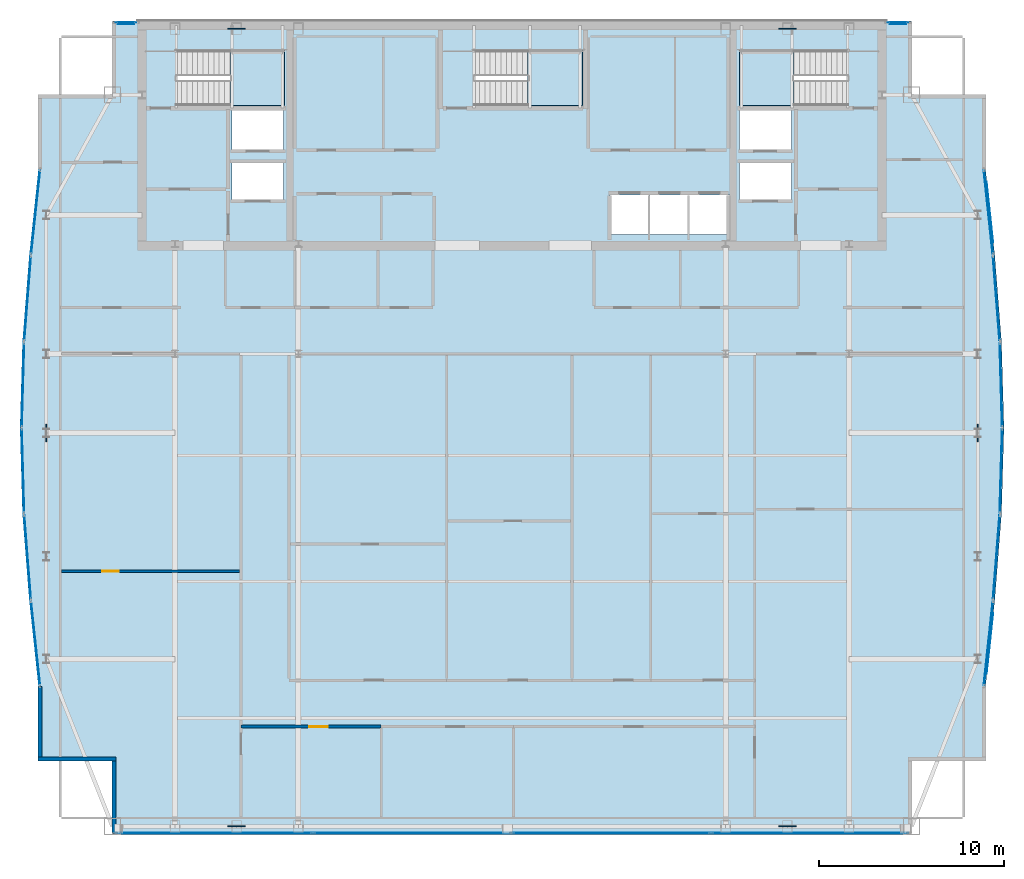
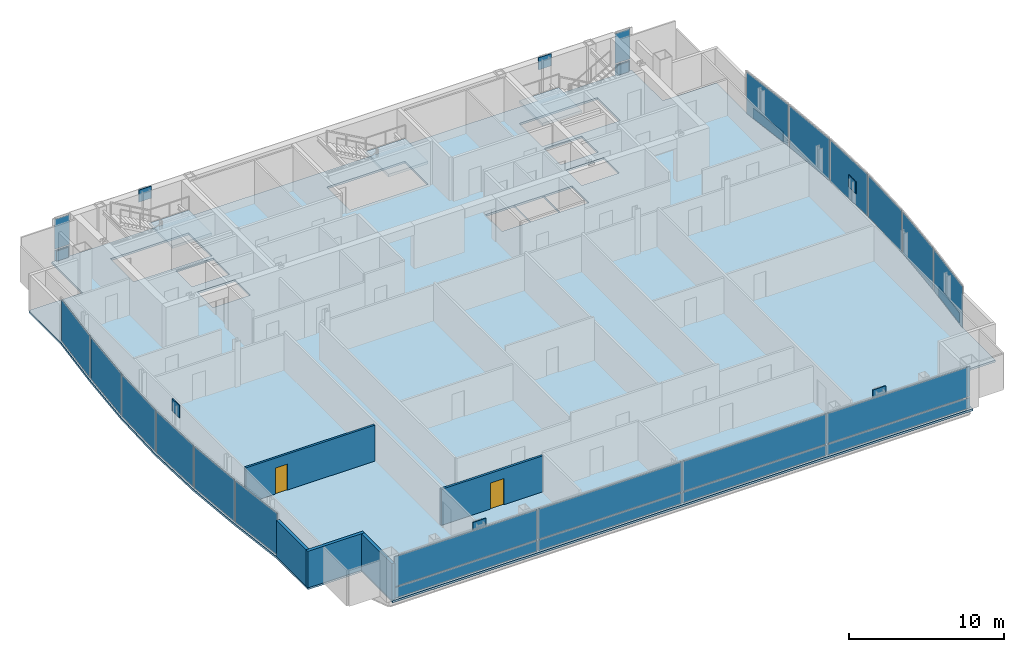
# One storey, part 21 of 27: 34 plates, 5 walls, 4 slabs, 2 doors, 2 openings, 18 elements without a shape of their own.
"""IFC4 building model written with IfcOpenShell, lengths in metres."""

from ifc_helpers import new_model, si_unit, direction, frame, frame_2d, origin, origin_2d, place, context, subcontext, project, spatial, polyline, rectangle, outline, extrude, material, layer, layer_set, type_object, element, fill, aggregate, save


model = new_model("IFC4")

# Units and contexts
model_context = context("Model", 3, precision=1e-05, world=origin(), true_north=direction((0.0, 1.0)))
body_context = subcontext(model_context, "Body", "Model", "MODEL_VIEW")
ifc_project = project(units=[si_unit("LENGTHUNIT", "METRE"), si_unit("AREAUNIT", "SQUARE_METRE"), si_unit("VOLUMEUNIT", "CUBIC_METRE"), si_unit("PLANEANGLEUNIT", "RADIAN"), si_unit("MASSUNIT", "GRAM", prefix="KILO")], contexts=[model_context])

# Site, building, storey
site_placement = place(None, origin())
site = spatial("IfcSite", under=ifc_project, at=site_placement, CompositionType="ELEMENT")
building_placement = place(site_placement, origin())
building = spatial("IfcBuilding", under=site, at=building_placement, Name="Khoronbel Lancet Exchange", CompositionType="ELEMENT")
storey_placement = place(building_placement, frame((0.0, 0.0, 343.39990234375)))
storey = spatial("IfcBuildingStorey", under=building, at=storey_placement, Name="L89", CompositionType="ELEMENT", Elevation=343.39990234375)

# Curtain wall, plate
ifc_material_1 = material(Name="Low-E Solar Control Insulating Glass", Category="glass")
curtain_wall_type_1 = type_object("IfcCurtainWallType", Name="CW-4", PredefinedType="NOTDEFINED", material=ifc_material_1)
curtain_wall_1_placement = place(storey_placement, origin())
curtain_wall_1 = element("IfcCurtainWall", 1, at=curtain_wall_1_placement, inside=storey, type_object=curtain_wall_type_1, Name="Unitised curtain wall CW-L89-E05", PredefinedType="NOTDEFINED")
ifc_material_2 = material(Name="Bronze-Anodised Aluminium 6063-T6", Category="aluminium")
ifc_layer_1 = layer(ifc_material_2, 0.050048828125, Name="Bronze-Anodised Aluminium 6063-T6")
ifc_layer_set_1 = layer_set([ifc_layer_1], Name="Bronze-Anodised Aluminium 6063-T6")
plate_type_1 = type_object("IfcPlateType", Name="PLT-CSP1", PredefinedType="SHEET", material=ifc_layer_set_1)
plate_1_placement = place(storey_placement, frame((10.2568359375, 24.70654296875, 0.085205078125), z_axis=(0.0, 0.0, 1.0), x_axis=(-0.078184162452, 0.996938933306, 0.0)))
plate_1 = element("IfcPlate", 2, at=plate_1_placement, type_object=plate_type_1, Name="CW4 panel 1.1", PredefinedType="CURTAIN_PANEL", context=body_context, shape_type="SweptSolid", body=[
    extrude(rectangle(XDim=4.52734375, YDim=0.0380859375, at=origin_2d()), origin(), (0.0, 0.0, 1.0), 3.27001953125),
])
aggregate(curtain_wall_1, [plate_1])

curtain_wall_2_placement = place(storey_placement, origin())
curtain_wall_2 = element("IfcCurtainWall", 3, at=curtain_wall_2_placement, inside=storey, type_object=curtain_wall_type_1, Name="Unitised curtain wall CW-L89-E06", PredefinedType="NOTDEFINED")
plate_2_placement = place(storey_placement, frame((10.0068359375, 29.369140625, 0.085205078125), z_axis=(0.0, 0.0, 1.0), x_axis=(-0.028710354746, 0.9995877728, 0.0)))
plate_2 = element("IfcPlate", 4, at=plate_2_placement, type_object=plate_type_1, Name="CW4 panel 1.1", PredefinedType="CURTAIN_PANEL", context=body_context, shape_type="SweptSolid", body=[
    extrude(rectangle(XDim=4.513916015625, YDim=0.0380859375, at=origin_2d()), origin(), (0.0, 0.0, 1.0), 3.27001953125),
])
aggregate(curtain_wall_2, [plate_2])

curtain_wall_3_placement = place(storey_placement, origin())
curtain_wall_3 = element("IfcCurtainWall", 5, at=curtain_wall_3_placement, inside=storey, type_object=curtain_wall_type_1, Name="Unitised curtain wall CW-L89-E07", PredefinedType="NOTDEFINED")
plate_3_placement = place(storey_placement, frame((10.0068359375, 34.031005859375, 0.085205078125), z_axis=(0.0, 0.0, 1.0), x_axis=(0.028710354746, 0.9995877728, 0.0)))
plate_3 = element("IfcPlate", 6, at=plate_3_placement, type_object=plate_type_1, Name="CW4 panel 1.1", PredefinedType="CURTAIN_PANEL", context=body_context, shape_type="SweptSolid", body=[
    extrude(rectangle(XDim=4.513916015625, YDim=0.0380859375, at=origin_2d()), origin(), (0.0, 0.0, 1.0), 3.27001953125),
])
aggregate(curtain_wall_3, [plate_3])

curtain_wall_4_placement = place(storey_placement, origin())
curtain_wall_4 = element("IfcCurtainWall", 7, at=curtain_wall_4_placement, inside=storey, type_object=curtain_wall_type_1, Name="Unitised curtain wall CW-L89-E08", PredefinedType="NOTDEFINED")
plate_4_placement = place(storey_placement, frame((10.2568359375, 38.693359375, 0.085205078125), z_axis=(0.0, 0.0, 1.0), x_axis=(0.078184162452, 0.996938933306, 0.0)))
plate_4 = element("IfcPlate", 8, at=plate_4_placement, type_object=plate_type_1, Name="CW4 panel 1.1", PredefinedType="CURTAIN_PANEL", context=body_context, shape_type="SweptSolid", body=[
    extrude(rectangle(XDim=4.52734375, YDim=0.0380859375, at=origin_2d()), origin(), (0.0, 0.0, 1.0), 3.27001953125),
])
aggregate(curtain_wall_4, [plate_4])

curtain_wall_type_2 = type_object("IfcCurtainWallType", Name="CW-3", PredefinedType="NOTDEFINED", material=ifc_material_1)
curtain_wall_5_placement = place(storey_placement, origin())
curtain_wall_5 = element("IfcCurtainWall", 9, at=curtain_wall_5_placement, inside=storey, type_object=curtain_wall_type_2, Name="Unitised curtain wall CW-L89-NWFLK", PredefinedType="NOTDEFINED")
plate_5_placement = place(storey_placement, frame((15.580078125, 53.550048828125, 0.05029296875), z_axis=(0.0, 0.0, 1.0), x_axis=(-1.0, 0.0, 0.0)))
plate_5 = element("IfcPlate", 10, at=plate_5_placement, type_object=plate_type_1, Name="Insulated bronze spandrel cassette CW-L89-NWFLK", PredefinedType="SHEET", context=body_context, shape_type="SweptSolid", body=[
    extrude(rectangle(XDim=0.89599609375, YDim=0.050048828125, at=origin_2d()), origin(), (0.0, 0.0, 1.0), 0.800048828125),
])

curtain_wall_6_placement = place(storey_placement, origin())
curtain_wall_6 = element("IfcCurtainWall", 11, at=curtain_wall_6_placement, inside=storey, type_object=curtain_wall_type_2, Name="Unitised curtain wall CW-L89-NEFLK", PredefinedType="NOTDEFINED")
plate_6_placement = place(storey_placement, frame((57.320068359375, 53.550048828125, 0.05029296875), z_axis=(0.0, 0.0, 1.0), x_axis=(-1.0, 0.0, 0.0)))
plate_6 = element("IfcPlate", 12, at=plate_6_placement, type_object=plate_type_1, Name="Insulated bronze spandrel cassette CW-L89-NEFLK", PredefinedType="SHEET", context=body_context, shape_type="SweptSolid", body=[
    extrude(rectangle(XDim=0.89599609375, YDim=0.050048828125, at=origin_2d()), origin(), (0.0, 0.0, 1.0), 0.800048828125),
])

curtain_wall_7_placement = place(storey_placement, origin())
curtain_wall_7 = element("IfcCurtainWall", 13, at=curtain_wall_7_placement, inside=storey, type_object=curtain_wall_type_1, Name="Unitised curtain wall CW-L89-E17", PredefinedType="NOTDEFINED")
plate_7_placement = place(storey_placement, frame((62.27001953125, 43.366455078125, 0.05029296875), z_axis=(0.0, 0.0, 1.0), x_axis=(0.106537634098, -0.994308670645, 0.0)))
plate_7 = element("IfcPlate", 14, at=plate_7_placement, type_object=plate_type_1, Name="Insulated bronze spandrel cassette CW-L89-E17", PredefinedType="SHEET", context=body_context, shape_type="SweptSolid", body=[
    extrude(rectangle(XDim=3.287841796875, YDim=0.050048828125, at=origin_2d()), origin(), (0.0, 0.0, 1.0), 0.800048828125),
])

curtain_wall_8_placement = place(storey_placement, origin())
curtain_wall_8 = element("IfcCurtainWall", 15, at=curtain_wall_8_placement, inside=storey, type_object=curtain_wall_type_1, Name="Unitised curtain wall CW-L89-E18", PredefinedType="NOTDEFINED")
plate_8_placement = place(storey_placement, frame((62.643310546875, 38.693359375, 0.085205078125), z_axis=(0.0, 0.0, 1.0), x_axis=(0.078184162452, -0.996938933306, 0.0)))
plate_8 = element("IfcPlate", 16, at=plate_8_placement, type_object=plate_type_1, Name="CW4 panel 1.1", PredefinedType="CURTAIN_PANEL", context=body_context, shape_type="SweptSolid", body=[
    extrude(rectangle(XDim=4.52734375, YDim=0.0380859375, at=origin_2d()), origin(), (0.0, 0.0, 1.0), 3.27001953125),
])
aggregate(curtain_wall_8, [plate_8])

curtain_wall_9_placement = place(storey_placement, origin())
curtain_wall_9 = element("IfcCurtainWall", 17, at=curtain_wall_9_placement, inside=storey, type_object=curtain_wall_type_1, Name="Unitised curtain wall CW-L89-E19", PredefinedType="NOTDEFINED")
plate_9_placement = place(storey_placement, frame((62.89306640625, 34.031005859375, 0.085205078125), z_axis=(0.0, 0.0, 1.0), x_axis=(0.028710354746, -0.9995877728, 0.0)))
plate_9 = element("IfcPlate", 18, at=plate_9_placement, type_object=plate_type_1, Name="CW4 panel 1.1", PredefinedType="CURTAIN_PANEL", context=body_context, shape_type="SweptSolid", body=[
    extrude(rectangle(XDim=4.513916015625, YDim=0.0380859375, at=origin_2d()), origin(), (0.0, 0.0, 1.0), 3.27001953125),
])
aggregate(curtain_wall_9, [plate_9])

curtain_wall_10_placement = place(storey_placement, origin())
curtain_wall_10 = element("IfcCurtainWall", 19, at=curtain_wall_10_placement, inside=storey, type_object=curtain_wall_type_1, Name="Unitised curtain wall CW-L89-E20", PredefinedType="NOTDEFINED")
plate_10_placement = place(storey_placement, frame((62.89306640625, 29.369140625, 0.085205078125), z_axis=(0.0, 0.0, 1.0), x_axis=(-0.028710354746, -0.9995877728, 0.0)))
plate_10 = element("IfcPlate", 20, at=plate_10_placement, type_object=plate_type_1, Name="CW4 panel 1.1", PredefinedType="CURTAIN_PANEL", context=body_context, shape_type="SweptSolid", body=[
    extrude(rectangle(XDim=4.513916015625, YDim=0.0380859375, at=origin_2d()), origin(), (0.0, 0.0, 1.0), 3.27001953125),
])
aggregate(curtain_wall_10, [plate_10])

curtain_wall_11_placement = place(storey_placement, origin())
curtain_wall_11 = element("IfcCurtainWall", 21, at=curtain_wall_11_placement, inside=storey, type_object=curtain_wall_type_1, Name="Unitised curtain wall CW-L89-E21", PredefinedType="NOTDEFINED")
plate_11_placement = place(storey_placement, frame((62.643310546875, 24.70654296875, 0.085205078125), z_axis=(0.0, 0.0, 1.0), x_axis=(-0.078184162452, -0.996938933306, 0.0)))
plate_11 = element("IfcPlate", 22, at=plate_11_placement, type_object=plate_type_1, Name="CW4 panel 1.1", PredefinedType="CURTAIN_PANEL", context=body_context, shape_type="SweptSolid", body=[
    extrude(rectangle(XDim=4.52734375, YDim=0.0380859375, at=origin_2d()), origin(), (0.0, 0.0, 1.0), 3.27001953125),
])
aggregate(curtain_wall_11, [plate_11])

curtain_wall_12_placement = place(storey_placement, origin())
curtain_wall_12 = element("IfcCurtainWall", 23, at=curtain_wall_12_placement, inside=storey, type_object=curtain_wall_type_1, Name="Unitised curtain wall CW-L89-E22", PredefinedType="NOTDEFINED")
plate_12_placement = place(storey_placement, frame((62.27001953125, 20.033447265625, 0.05029296875), z_axis=(0.0, 0.0, 1.0), x_axis=(-0.106537634098, -0.994308670645, 0.0)))
plate_12 = element("IfcPlate", 24, at=plate_12_placement, type_object=plate_type_1, Name="Insulated bronze spandrel cassette CW-L89-E22", PredefinedType="SHEET", context=body_context, shape_type="SweptSolid", body=[
    extrude(rectangle(XDim=3.287841796875, YDim=0.050048828125, at=origin_2d()), origin(), (0.0, 0.0, 1.0), 0.800048828125),
])

# Plate
ifc_layer_2 = layer(ifc_material_1, 0.035888671875, Name="Low-E Solar Control Insulating Glass")
ifc_layer_set_2 = layer_set([ifc_layer_2], Name="Low-E Solar Control Insulating Glass")
plate_type_2 = type_object("IfcPlateType", Name="PLT-CWP1", PredefinedType="CURTAIN_PANEL", material=ifc_layer_set_2)
plate_13_placement = place(storey_placement, frame((15.580078125, 53.610107421875, 0.0849609375), z_axis=(0.0, 0.0, 1.0), x_axis=(-1.0, 0.0, 0.0)))
plate_13 = element("IfcPlate", 25, at=plate_13_placement, type_object=plate_type_2, Name="CW3 panel 1.1", PredefinedType="CURTAIN_PANEL", context=body_context, shape_type="SweptSolid", body=[
    extrude(rectangle(XDim=1.110107421875, YDim=0.0380859375, at=origin_2d()), origin(), (0.0, 0.0, 1.0), 0.822509765625),
])

plate_14_placement = place(storey_placement, frame((15.580078125, 53.610107421875, 0.99267578125), z_axis=(0.0, 0.0, 1.0), x_axis=(-1.0, 0.0, 0.0)))
plate_14 = element("IfcPlate", 26, at=plate_14_placement, type_object=plate_type_2, Name="CW3 panel 1.2", PredefinedType="CURTAIN_PANEL", context=body_context, shape_type="SweptSolid", body=[
    extrude(rectangle(XDim=1.110107421875, YDim=0.0380859375, at=origin_2d()), origin(), (0.0, 0.0, 1.0), 2.362548828125),
])

aggregate(curtain_wall_5, [plate_13, plate_14, plate_5])

plate_15_placement = place(storey_placement, frame((57.320068359375, 53.610107421875, 0.0849609375), z_axis=(0.0, 0.0, 1.0), x_axis=(-1.0, 0.0, 0.0)))
plate_15 = element("IfcPlate", 27, at=plate_15_placement, type_object=plate_type_2, Name="CW3 panel 1.1", PredefinedType="CURTAIN_PANEL", context=body_context, shape_type="SweptSolid", body=[
    extrude(rectangle(XDim=1.110107421875, YDim=0.0380859375, at=origin_2d()), origin(), (0.0, 0.0, 1.0), 0.822509765625),
])

plate_16_placement = place(storey_placement, frame((57.320068359375, 53.610107421875, 0.99267578125), z_axis=(0.0, 0.0, 1.0), x_axis=(-1.0, 0.0, 0.0)))
plate_16 = element("IfcPlate", 28, at=plate_16_placement, type_object=plate_type_2, Name="CW3 panel 1.2", PredefinedType="CURTAIN_PANEL", context=body_context, shape_type="SweptSolid", body=[
    extrude(rectangle(XDim=1.110107421875, YDim=0.0380859375, at=origin_2d()), origin(), (0.0, 0.0, 1.0), 2.362548828125),
])

aggregate(curtain_wall_6, [plate_15, plate_16, plate_6])

# Curtain wall, plates
curtain_wall_13_placement = place(storey_placement, origin())
curtain_wall_13 = element("IfcCurtainWall", 29, at=curtain_wall_13_placement, inside=storey, type_object=curtain_wall_type_2, Name="Unitised curtain wall CW-L89-E26", PredefinedType="NOTDEFINED")
plate_17_placement = place(storey_placement, frame((52.561279296875, 9.7900390625, 0.0849609375), z_axis=(0.0, 0.0, 1.0), x_axis=(-1.0, 0.0, 0.0)))
plate_17 = element("IfcPlate", 30, at=plate_17_placement, type_object=plate_type_2, Name="CW3 panel 1.1", PredefinedType="CURTAIN_PANEL", context=body_context, shape_type="SweptSolid", body=[
    extrude(rectangle(XDim=10.62744140625, YDim=0.0380859375, at=origin_2d()), origin(), (0.0, 0.0, 1.0), 0.822509765625),
])
plate_18_placement = place(storey_placement, frame((52.561279296875, 9.7900390625, 0.99267578125), z_axis=(0.0, 0.0, 1.0), x_axis=(-1.0, 0.0, 0.0)))
plate_18 = element("IfcPlate", 31, at=plate_18_placement, type_object=plate_type_2, Name="CW3 panel 1.2", PredefinedType="CURTAIN_PANEL", context=body_context, shape_type="SweptSolid", body=[
    extrude(rectangle(XDim=10.62744140625, YDim=0.0380859375, at=origin_2d()), origin(), (0.0, 0.0, 1.0), 2.362548828125),
])
plate_19_placement = place(storey_placement, frame((41.827392578125, 9.7900390625, 0.0849609375), z_axis=(0.0, 0.0, 1.0), x_axis=(-1.0, 0.0, 0.0)))
plate_19 = element("IfcPlate", 32, at=plate_19_placement, type_object=plate_type_2, Name="CW3 panel 2.1", PredefinedType="CURTAIN_PANEL", context=body_context, shape_type="SweptSolid", body=[
    extrude(rectangle(XDim=10.669921875, YDim=0.0380859375, at=origin_2d()), origin(), (0.0, 0.0, 1.0), 0.822509765625),
])
plate_20_placement = place(storey_placement, frame((41.827392578125, 9.7900390625, 0.99267578125), z_axis=(0.0, 0.0, 1.0), x_axis=(-1.0, 0.0, 0.0)))
plate_20 = element("IfcPlate", 33, at=plate_20_placement, type_object=plate_type_2, Name="CW3 panel 2.2", PredefinedType="CURTAIN_PANEL", context=body_context, shape_type="SweptSolid", body=[
    extrude(rectangle(XDim=10.669921875, YDim=0.0380859375, at=origin_2d()), origin(), (0.0, 0.0, 1.0), 2.362548828125),
])
plate_21_placement = place(storey_placement, frame((31.072509765625, 9.7900390625, 0.0849609375), z_axis=(0.0, 0.0, 1.0), x_axis=(-1.0, 0.0, 0.0)))
plate_21 = element("IfcPlate", 34, at=plate_21_placement, type_object=plate_type_2, Name="CW3 panel 3.1", PredefinedType="CURTAIN_PANEL", context=body_context, shape_type="SweptSolid", body=[
    extrude(rectangle(XDim=10.669921875, YDim=0.0380859375, at=origin_2d()), origin(), (0.0, 0.0, 1.0), 0.822509765625),
])
plate_22_placement = place(storey_placement, frame((31.072509765625, 9.7900390625, 0.99267578125), z_axis=(0.0, 0.0, 1.0), x_axis=(-1.0, 0.0, 0.0)))
plate_22 = element("IfcPlate", 35, at=plate_22_placement, type_object=plate_type_2, Name="CW3 panel 3.2", PredefinedType="CURTAIN_PANEL", context=body_context, shape_type="SweptSolid", body=[
    extrude(rectangle(XDim=10.669921875, YDim=0.0380859375, at=origin_2d()), origin(), (0.0, 0.0, 1.0), 2.362548828125),
])
plate_23_placement = place(storey_placement, frame((20.3388671875, 9.7900390625, 0.0849609375), z_axis=(0.0, 0.0, 1.0), x_axis=(-1.0, 0.0, 0.0)))
plate_23 = element("IfcPlate", 36, at=plate_23_placement, type_object=plate_type_2, Name="CW3 panel 4.1", PredefinedType="CURTAIN_PANEL", context=body_context, shape_type="SweptSolid", body=[
    extrude(rectangle(XDim=10.62744140625, YDim=0.0380859375, at=origin_2d()), origin(), (0.0, 0.0, 1.0), 0.822509765625),
])
plate_24_placement = place(storey_placement, frame((20.3388671875, 9.7900390625, 0.99267578125), z_axis=(0.0, 0.0, 1.0), x_axis=(-1.0, 0.0, 0.0)))
plate_24 = element("IfcPlate", 37, at=plate_24_placement, type_object=plate_type_2, Name="CW3 panel 4.2", PredefinedType="CURTAIN_PANEL", context=body_context, shape_type="SweptSolid", body=[
    extrude(rectangle(XDim=10.62744140625, YDim=0.0380859375, at=origin_2d()), origin(), (0.0, 0.0, 1.0), 2.362548828125),
])
aggregate(curtain_wall_13, [plate_17, plate_18, plate_19, plate_20, plate_21, plate_22, plate_23, plate_24])

# Curtain wall, plate
curtain_wall_14_placement = place(storey_placement, origin())
curtain_wall_14 = element("IfcCurtainWall", 38, at=curtain_wall_14_placement, inside=storey, type_object=curtain_wall_type_1, Name="Unitised curtain wall CW-L89-E04", PredefinedType="NOTDEFINED")
ifc_material_3 = material(Name="Ceramic-Fritted Laminated Insulating Glass", Category="glass")
ifc_layer_3 = layer(ifc_material_3, 0.0419921875, Name="Ceramic-Fritted Laminated Insulating Glass")
ifc_layer_set_3 = layer_set([ifc_layer_3], Name="Ceramic-Fritted Laminated Insulating Glass")
plate_type_3 = type_object("IfcPlateType", Name="PLT-CWP2", PredefinedType="CURTAIN_PANEL", material=ifc_layer_set_3)
plate_25_placement = place(storey_placement, frame((10.689697265625, 20.039794921875, 0.085205078125), z_axis=(0.0, 0.0, 1.0), x_axis=(-0.106537634098, 0.994308670645, 0.0)))
plate_25 = element("IfcPlate", 39, at=plate_25_placement, type_object=plate_type_3, Name="CW4 panel 1.1", PredefinedType="CURTAIN_PANEL", context=body_context, shape_type="SweptSolid", body=[
    extrude(rectangle(XDim=4.546875, YDim=0.0380859375, at=origin_2d()), origin(), (0.0, 0.0, 1.0), 3.27001953125),
])
aggregate(curtain_wall_14, [plate_25])

curtain_wall_15_placement = place(storey_placement, origin())
curtain_wall_15 = element("IfcCurtainWall", 40, at=curtain_wall_15_placement, inside=storey, type_object=curtain_wall_type_1, Name="Unitised curtain wall CW-L89-E09", PredefinedType="NOTDEFINED")
plate_26_placement = place(storey_placement, frame((10.689697265625, 43.360107421875, 0.085205078125), z_axis=(0.0, 0.0, 1.0), x_axis=(0.106537634098, 0.994308670645, 0.0)))
plate_26 = element("IfcPlate", 41, at=plate_26_placement, type_object=plate_type_3, Name="CW4 panel 1.1", PredefinedType="CURTAIN_PANEL", context=body_context, shape_type="SweptSolid", body=[
    extrude(rectangle(XDim=4.546875, YDim=0.0380859375, at=origin_2d()), origin(), (0.0, 0.0, 1.0), 3.27001953125),
])
aggregate(curtain_wall_15, [plate_26])

# Plate
plate_27_placement = place(storey_placement, frame((62.210205078125, 43.360107421875, 0.085205078125), z_axis=(0.0, 0.0, 1.0), x_axis=(0.106537634098, -0.994308670645, 0.0)))
plate_27 = element("IfcPlate", 42, at=plate_27_placement, type_object=plate_type_3, Name="CW4 panel 1.1", PredefinedType="CURTAIN_PANEL", context=body_context, shape_type="SweptSolid", body=[
    extrude(rectangle(XDim=4.546875, YDim=0.0380859375, at=origin_2d()), origin(), (0.0, 0.0, 1.0), 3.27001953125),
])

aggregate(curtain_wall_7, [plate_27, plate_7])

plate_28_placement = place(storey_placement, frame((62.210205078125, 20.039794921875, 0.085205078125), z_axis=(0.0, 0.0, 1.0), x_axis=(-0.106537634098, -0.994308670645, 0.0)))
plate_28 = element("IfcPlate", 43, at=plate_28_placement, type_object=plate_type_3, Name="CW4 panel 1.1", PredefinedType="CURTAIN_PANEL", context=body_context, shape_type="SweptSolid", body=[
    extrude(rectangle(XDim=4.546875, YDim=0.0380859375, at=origin_2d()), origin(), (0.0, 0.0, 1.0), 3.27001953125),
])

aggregate(curtain_wall_12, [plate_28, plate_12])

# Plates
ifc_material_4 = material(Name="Steel S460", Category="steel")
ifc_layer_4 = layer(ifc_material_4, 0.06005859375, Name="Steel S460")
ifc_layer_set_4 = layer_set([ifc_layer_4], Name="Steel S460")
plate_type_4 = type_object("IfcPlateType", Name="PLT-ND3", PredefinedType="USERDEFINED", material=ifc_layer_set_4)
for number, where, z_axis, x_axis, name in (
    (44, (21.5625, 10.14990234375, 2.77490234375), (0.0, 0.0, 1.0), (1.0, 0.0, 0.0), "ND3 perimeter brace node gusset T30-S-W"),
    (45, (51.33740234375, 10.14990234375, 2.77490234375), (0.0, 0.0, 1.0), (1.0, 0.0, 0.0), "ND3 perimeter brace node gusset T30-S-E"),
    (46, (21.5625, 53.280029296875, 2.77490234375), (0.0, 0.0, 1.0), (1.0, 0.0, 0.0), "ND3 perimeter brace node gusset T30-N-W"),
    (47, (51.33740234375, 53.280029296875, 2.77490234375), (0.0, 0.0, 1.0), (1.0, 0.0, 0.0), "ND3 perimeter brace node gusset T30-N-E"),
    (48, (11.27001953125, 31.425048828125, 2.77490234375), (0.0, 0.0, 1.0), (0.0, 1.0, 0.0), "ND3 perimeter brace node gusset T30-W-P"),
    (49, (61.6298828125, 31.425048828125, 2.77490234375), (0.0, 0.0, 1.0), (0.0, 1.0, 0.0), "ND3 perimeter brace node gusset T30-E-P"),
):
    element("IfcPlate", number, at=place(storey_placement, frame(where, z_axis=z_axis, x_axis=x_axis)), inside=storey, type_object=plate_type_4, Name=name, ObjectType="GUSSET_PLATE", PredefinedType="USERDEFINED", context=body_context, shape_type="SweptSolid", body=[
        extrude(rectangle(XDim=0.949951171875, YDim=0.06005859375, at=origin_2d()), origin(), (0.0, 0.0, 1.0), 0.949951171875),
    ])

# Slab
ifc_material_5 = material(Name="Concrete C40/50", Category="concrete")
ifc_layer_5 = layer(ifc_material_5, 0.159912109375, Name="Concrete C40/50")
ifc_layer_set_5 = layer_set([ifc_layer_5], Name="Concrete C40/50")
slab_type_1 = type_object("IfcSlabType", Name="SL-FL160", PredefinedType="FLOOR", material=ifc_layer_set_5)
slab_1_placement = place(storey_placement, frame((0.0, 0.0, -0.159912109375)))
element("IfcSlab", 50, at=slab_1_placement, inside=storey, type_object=slab_type_1, Name="Level L89 composite structural floor slab", PredefinedType="FLOOR", context=body_context, shape_type="SweptSolid", body=[
    extrude(outline(polyline([(14.85009765625, 9.699951171875), (58.050048828125, 9.699951171875), (58.050048828125, 13.699951171875), (62.050048828125, 13.699951171875), (62.050048828125, 17.699951171875), (62.550048828125, 22.36669921875), (62.916015625, 27.033203125), (63.050048828125, 31.699951171875), (62.916015625, 36.36669921875), (62.550048828125, 41.033203125), (62.050048828125, 45.699951171875), (62.050048828125, 49.699951171875), (58.050048828125, 49.699951171875), (58.050048828125, 53.699951171875), (14.85009765625, 53.699951171875), (14.85009765625, 49.699951171875), (10.85009765625, 49.699951171875), (10.85009765625, 45.699951171875), (10.35009765625, 41.033203125), (9.98388671875, 36.36669921875), (9.85009765625, 31.699951171875), (9.98388671875, 27.033203125), (10.35009765625, 22.36669921875), (10.85009765625, 17.699951171875), (10.85009765625, 13.699951171875), (14.85009765625, 13.699951171875), (14.85009765625, 9.699951171875)]), holes=[polyline([(18.324951171875, 49.1201171875), (24.14990234375, 49.1201171875), (24.14990234375, 52.10009765625), (18.324951171875, 52.10009765625), (18.324951171875, 49.1201171875)]), polyline([(48.75, 49.1201171875), (54.574951171875, 49.1201171875), (54.574951171875, 52.10009765625), (48.75, 52.10009765625), (48.75, 49.1201171875)]), polyline([(34.425048828125, 49.1201171875), (40.25, 49.1201171875), (40.25, 52.10009765625), (34.425048828125, 52.10009765625), (34.425048828125, 49.1201171875)]), polyline([(41.739990234375, 42.14990234375), (43.8798828125, 42.14990234375), (43.8798828125, 44.300048828125), (41.739990234375, 44.300048828125), (41.739990234375, 42.14990234375)]), polyline([(43.89990234375, 42.14990234375), (46.0400390625, 42.14990234375), (46.0400390625, 44.300048828125), (43.89990234375, 44.300048828125), (43.89990234375, 42.14990234375)]), polyline([(46.06005859375, 42.14990234375), (48.199951171875, 42.14990234375), (48.199951171875, 44.300048828125), (46.06005859375, 44.300048828125), (46.06005859375, 42.14990234375)]), polyline([(21.300048828125, 46.75), (24.10009765625, 46.75), (24.10009765625, 48.85009765625), (21.300048828125, 48.85009765625), (21.300048828125, 46.75)]), polyline([(48.75, 46.75), (51.550048828125, 46.75), (51.550048828125, 48.85009765625), (48.75, 48.85009765625), (48.75, 46.75)]), polyline([(21.300048828125, 44.050048828125), (24.10009765625, 44.050048828125), (24.10009765625, 46.050048828125), (21.300048828125, 46.050048828125), (21.300048828125, 44.050048828125)]), polyline([(48.75, 44.050048828125), (51.550048828125, 44.050048828125), (51.550048828125, 46.050048828125), (48.75, 46.050048828125), (48.75, 44.050048828125)])]), origin(), (0.0, 0.0, 1.0), 0.159912109375),
])

# Stair, slab
stair_type = type_object("IfcStairType", Name="STR-CORE150", PredefinedType="HALF_TURN_STAIR", material=ifc_material_5)
stair_1_placement = place(storey_placement, origin())
stair_1 = element("IfcStair", 51, at=stair_1_placement, inside=storey, type_object=stair_type, Name="L89 Protected Exit Stair ST1", PredefinedType="HALF_TURN_STAIR")
ifc_layer_6 = layer(ifc_material_5, 0.199951171875, Name="Concrete C40/50")
ifc_layer_set_6 = layer_set([ifc_layer_6], Name="Concrete C40/50")
slab_type_2 = type_object("IfcSlabType", Name="SL-LND180", PredefinedType="LANDING", material=ifc_layer_set_6)
slab_2_placement = place(storey_placement, frame((0.0, 0.0, 1.60009765625)))
slab_2 = element("IfcSlab", 52, at=slab_2_placement, type_object=slab_type_2, Name="ST1 landing 1", PredefinedType="LANDING", context=body_context, shape_type="SweptSolid", body=[
    extrude(outline(polyline([(21.199951171875, 49.1201171875), (24.14990234375, 49.1201171875), (24.14990234375, 52.10009765625), (21.199951171875, 52.10009765625), (21.199951171875, 49.1201171875)])), origin(), (0.0, 0.0, 1.0), 0.199951171875),
])
aggregate(stair_1, [slab_2])

stair_2_placement = place(storey_placement, origin())
stair_2 = element("IfcStair", 53, at=stair_2_placement, inside=storey, type_object=stair_type, Name="L89 Protected Exit Stair ST2", PredefinedType="HALF_TURN_STAIR")
slab_3_placement = place(storey_placement, frame((0.0, 0.0, 1.60009765625)))
slab_3 = element("IfcSlab", 54, at=slab_3_placement, type_object=slab_type_2, Name="ST2 landing 1", PredefinedType="LANDING", context=body_context, shape_type="SweptSolid", body=[
    extrude(outline(polyline([(51.699951171875, 52.10009765625), (48.75, 52.10009765625), (48.75, 49.1201171875), (51.699951171875, 49.1201171875), (51.699951171875, 52.10009765625)])), origin(), (0.0, 0.0, 1.0), 0.199951171875),
])
aggregate(stair_2, [slab_3])

stair_3_placement = place(storey_placement, origin())
stair_3 = element("IfcStair", 55, at=stair_3_placement, inside=storey, type_object=stair_type, Name="L89 Protected Exit Stair ST3", PredefinedType="HALF_TURN_STAIR")
slab_4_placement = place(storey_placement, frame((0.0, 0.0, 1.60009765625)))
slab_4 = element("IfcSlab", 56, at=slab_4_placement, type_object=slab_type_2, Name="ST3 landing 1", PredefinedType="LANDING", context=body_context, shape_type="SweptSolid", body=[
    extrude(outline(polyline([(37.300048828125, 49.1201171875), (40.25, 49.1201171875), (40.25, 52.10009765625), (37.300048828125, 52.10009765625), (37.300048828125, 49.1201171875)])), origin(), (0.0, 0.0, 1.0), 0.199951171875),
])
aggregate(stair_3, [slab_4])

# Walls
ifc_material_6 = material(Name="Precast concrete C40/50", Category="concrete")
ifc_layer_7 = layer(ifc_material_6, 0.25, Name="Precast concrete C40/50")
ifc_layer_set_7 = layer_set([ifc_layer_7], Name="Precast concrete C40/50")
wall_type_1 = type_object("IfcWallType", Name="WL-EXT250", PredefinedType="SOLIDWALL", material=ifc_layer_set_7)
wall_1_placement = place(storey_placement, frame((14.93994140625, 9.77001953125, 0.0), z_axis=(0.0, 0.0, 1.0), x_axis=(0.0, 1.0, 0.0)))
element("IfcWall", 57, at=wall_1_placement, inside=storey, type_object=wall_type_1, Name="Level L89 notched-corner limestone pier 01", PredefinedType="SOLIDWALL", context=body_context, shape_type="SweptSolid", body=[
    extrude(rectangle(XDim=3.909912109375, YDim=0.219970703125, at=frame_2d((1.955078125, 0.0))), origin(), (0.0, 0.0, 1.0), 2.880126953125),
])
wall_2_placement = place(storey_placement, frame((15.050048828125, 13.7900390625, 0.0), z_axis=(0.0, 0.0, 1.0), x_axis=(-1.0, 0.0, 0.0)))
element("IfcWall", 58, at=wall_2_placement, inside=storey, type_object=wall_type_1, Name="Level L89 notched-corner limestone pier 02", PredefinedType="SOLIDWALL", context=body_context, shape_type="SweptSolid", body=[
    extrude(rectangle(XDim=4.219970703125, YDim=0.219970703125, at=frame_2d((2.10986328125, 0.0))), origin(), (0.0, 0.0, 1.0), 2.880126953125),
])
wall_3_placement = place(storey_placement, frame((10.93994140625, 13.89990234375, 0.0), z_axis=(0.0, 0.0, 1.0), x_axis=(0.0, 1.0, 0.0)))
element("IfcWall", 59, at=wall_3_placement, inside=storey, type_object=wall_type_1, Name="Level L89 notched-corner limestone pier 03", PredefinedType="SOLIDWALL", context=body_context, shape_type="SweptSolid", body=[
    extrude(rectangle(XDim=3.824951171875, YDim=0.219970703125, at=frame_2d((1.91259765625, 0.0))), origin(), (0.0, 0.0, 1.0), 2.880126953125),
])

# Wall, opening, door
ifc_material_7 = material(Name="Acoustic Metal-Stud & Mineral-Wool Gypsum Partition 120 mm", Category="gypsum")
ifc_layer_8 = layer(ifc_material_7, 0.1201171875, Name="Acoustic Metal-Stud & Mineral-Wool Gypsum Partition 120 mm")
ifc_layer_set_8 = layer_set([ifc_layer_8], Name="Acoustic Metal-Stud & Mineral-Wool Gypsum Partition 120 mm")
wall_type_2 = type_object("IfcWallType", Name="WL-PRT120", PredefinedType="PARTITIONING", material=ifc_layer_set_8)
wall_4_placement = place(storey_placement, frame((12.094970703125, 23.949951171875, 0.0), z_axis=(0.0, 0.0, 1.0), x_axis=(1.0, 0.0, 0.0)))
wall_4 = element("IfcWall", 60, at=wall_4_placement, inside=storey, type_object=wall_type_2, Name="Level L89 interior partition PW-Z4-WH", PredefinedType="PARTITIONING", context=body_context, shape_type="SweptSolid", body=[
    extrude(rectangle(XDim=9.625, YDim=0.14990234375, at=frame_2d((4.8125, 0.0))), origin(), (0.0, 0.0, 1.0), 2.830078125),
])
opening_1_placement = place(wall_4_placement, frame((2.199951171875, 0.0, 0.0)))
opening_1 = element("IfcOpeningElement", 61, at=opening_1_placement, cuts=wall_4, Name="Opening D5", PredefinedType="OPENING", context=body_context, shape_type="SweptSolid", body=[
    extrude(rectangle(XDim=0.89990234375, YDim=2.050048828125, at=frame_2d((0.449951171875, 1.02490234375))), frame((0.0, 0.0849609375, 0.0), z_axis=(0.0, -1.0, 0.0), x_axis=(1.0, 0.0, 0.0)), (0.0, 0.0, 1.0), 0.169921875),
])
ifc_material_8 = material(Name="Acoustic Timber Pantry & Support Door", Category="wood")
door_type_1 = type_object("IfcDoorType", Name="DR-D5", OperationType="NOTDEFINED", PredefinedType="DOOR", material=ifc_material_8)
door_1_placement = place(opening_1_placement, origin())
door_1 = element("IfcDoor", 62, at=door_1_placement, inside=storey, type_object=door_type_1, Name="West lens inner door L89-1", OperationType="SINGLE_SWING_RIGHT", OverallHeight=2.050048828125, OverallWidth=0.89990234375, PredefinedType="DOOR", context=body_context, shape_type="SweptSolid", body=[
    extrude(rectangle(XDim=0.89990234375, YDim=2.050048828125, at=frame_2d((0.449951171875, 1.02490234375))), frame((0.0, 0.02490234375, 0.0), z_axis=(0.0, -1.0, 0.0), x_axis=(1.0, 0.0, 0.0)), (0.0, 0.0, 1.0), 0.050048828125),
])
fill(opening_1, door_1)

ifc_material_9 = material(Name="Fire-Rated Twin-Stud Acoustic Gypsum Partition 160 mm", Category="gypsum")
ifc_layer_9 = layer(ifc_material_9, 0.159912109375, Name="Fire-Rated Twin-Stud Acoustic Gypsum Partition 160 mm")
ifc_layer_set_9 = layer_set([ifc_layer_9], Name="Fire-Rated Twin-Stud Acoustic Gypsum Partition 160 mm")
wall_type_3 = type_object("IfcWallType", Name="WL-PRT160C", PredefinedType="PARTITIONING", material=ifc_layer_set_9)
wall_5_placement = place(storey_placement, frame((21.800048828125, 15.550048828125, 0.0), z_axis=(0.0, 0.0, 1.0), x_axis=(1.0, 0.0, 0.0)))
wall_5 = element("IfcWall", 63, at=wall_5_placement, inside=storey, type_object=wall_type_3, Name="Level L89 interior partition PW-Z4S-COR1", PredefinedType="PARTITIONING", context=body_context, shape_type="SweptSolid", body=[
    extrude(rectangle(XDim=7.576416015625, YDim=0.159912109375, at=frame_2d((3.7880859375, 0.0))), origin(), (0.0, 0.0, 1.0), 2.830078125),
])
opening_2_placement = place(wall_5_placement, frame((3.68212890625, 0.0, 0.0)))
opening_2 = element("IfcOpeningElement", 64, at=opening_2_placement, cuts=wall_5, Name="Opening D2", PredefinedType="OPENING", context=body_context, shape_type="SweptSolid", body=[
    extrude(rectangle(XDim=1.0, YDim=2.050048828125, at=frame_2d((0.5, 1.02490234375))), frame((0.0, 0.08984375, 0.0), z_axis=(0.0, -1.0, 0.0), x_axis=(1.0, 0.0, 0.0)), (0.0, 0.0, 1.0), 0.179931640625),
])
ifc_material_10 = material(Name="Acoustic Veneered Timber & Bronze Frame Door", Category="wood")
door_type_2 = type_object("IfcDoorType", Name="DR-D2", OperationType="NOTDEFINED", PredefinedType="DOOR", material=ifc_material_10)
door_2_placement = place(opening_2_placement, origin())
door_2 = element("IfcDoor", 65, at=door_2_placement, inside=storey, type_object=door_type_2, Name="Z4S bay 1 door L89-1", OperationType="SINGLE_SWING_LEFT", OverallHeight=2.050048828125, OverallWidth=1.0, PredefinedType="DOOR", context=body_context, shape_type="SweptSolid", body=[
    extrude(rectangle(XDim=1.0, YDim=2.050048828125, at=frame_2d((0.5, 1.02490234375))), frame((0.0, 0.02490234375, 0.0), z_axis=(0.0, -1.0, 0.0), x_axis=(1.0, 0.0, 0.0)), (0.0, 0.0, 1.0), 0.050048828125),
])
fill(opening_2, door_2)

save(model, "model.ifc")
